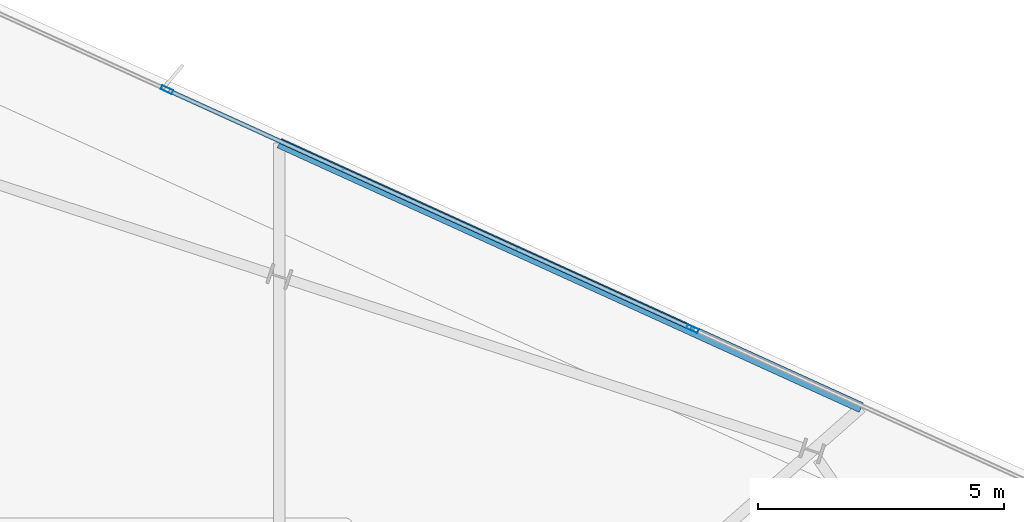
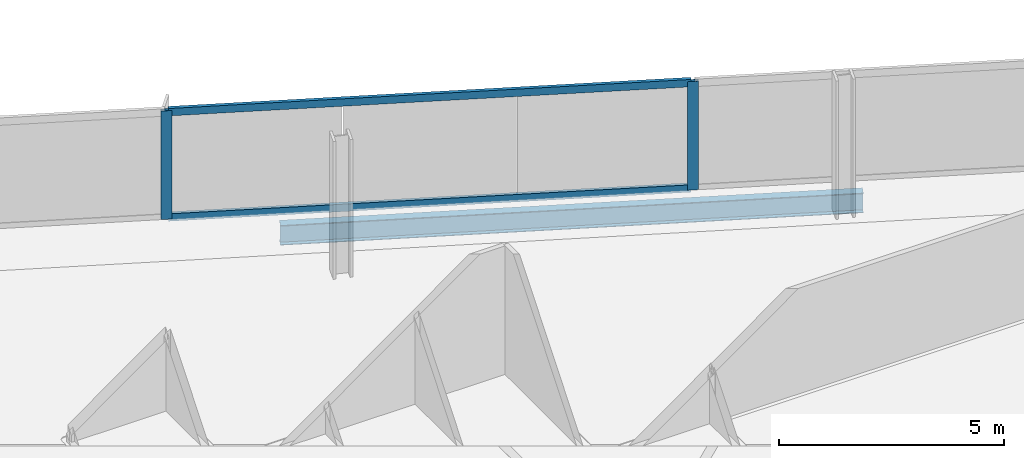
# One storey, part 17 of 26: 4 members, 1 beam, 1 element without a shape of its own.
"""IFC4 building model written with IfcOpenShell, lengths in metres."""

from ifc_helpers import new_model, si_unit, direction, frame, origin, origin_2d, place, context, subcontext, project, spatial, hollow_rectangle, i_section, extrude, material, material_profile, profile_set, type_object, element, aggregate, save


model = new_model("IFC4")

# Units and contexts
model_context = context("Model", 3, precision=1e-05, world=origin(), true_north=direction((0.0, 1.0)))
body_context = subcontext(model_context, "Body", "Model", "MODEL_VIEW")
ifc_project = project(units=[si_unit("LENGTHUNIT", "METRE"), si_unit("AREAUNIT", "SQUARE_METRE"), si_unit("VOLUMEUNIT", "CUBIC_METRE"), si_unit("PLANEANGLEUNIT", "RADIAN"), si_unit("MASSUNIT", "GRAM", prefix="KILO")], contexts=[model_context])

# Site, building, storey
site_placement = place(None, origin())
site = spatial("IfcSite", under=ifc_project, at=site_placement, CompositionType="ELEMENT")
building_placement = place(site_placement, origin())
building = spatial("IfcBuilding", under=site, at=building_placement, Name="Haldenkirk Collegiate Tower", CompositionType="ELEMENT")
storey_placement = place(building_placement, frame((0.0, 0.0, 248.699951171875)))
storey = spatial("IfcBuildingStorey", under=building, at=storey_placement, Name="L62", CompositionType="ELEMENT", Elevation=248.699951171875)

# Beam
ifc_material_1 = material(Name="Steel ASTM A992 Grade 50", Category="steel")
ifc_material_profile_1 = material_profile(ifc_material_1, i_section(OverallWidth=0.2099609375, OverallDepth=0.537109375, WebThickness=0.010986328125, FlangeThickness=0.017333984375, at=origin_2d()), Name="W21X68")
ifc_profile_set_1 = profile_set([ifc_material_profile_1], Name="Steel ASTM A992 Grade 50")
beam_type = type_object("IfcBeamType", Name="BM-SPANDREL-W21X68", PredefinedType="SPANDREL", material=ifc_profile_set_1)
beam_placement = place(storey_placement, frame((55.017822265625, 42.816650390625, -0.538330078125), z_axis=(-0.91032657633, 0.413890715562, 0.0), x_axis=(-0.413890715562, -0.91032657633, 0.0)))
element("IfcBeam", 1, at=beam_placement, inside=storey, type_object=beam_type, Name="L62 outer facade edge beam 2", PredefinedType="SPANDREL", context=body_context, shape_type="SweptSolid", body=[
    extrude(i_section(OverallWidth=0.2099609375, OverallDepth=0.537109375, WebThickness=0.010986328125, FlangeThickness=0.017333984375, at=origin_2d()), origin(), (0.0, 0.0, 1.0), 12.992919921875),
])

# Curtain wall, members
ifc_material_2 = material(Name="Anodised architectural bronze aluminium", Category="aluminium")
curtain_wall_type = type_object("IfcCurtainWallType", Name="CW-SYS1B-CONVEX-HI", PredefinedType="USERDEFINED", material=ifc_material_2)
curtain_wall_placement = place(storey_placement, origin())
curtain_wall = element("IfcCurtainWall", 2, at=curtain_wall_placement, inside=storey, type_object=curtain_wall_type, Name="L62 Upper tower high-wind convex bronze unitised curtain wall", ObjectType="UNITISED CURTAIN WALL", PredefinedType="USERDEFINED")
ifc_material_profile_2 = material_profile(ifc_material_2, hollow_rectangle(XDim=0.0849609375, YDim=0.25, WallThickness=0.0048828125, at=origin_2d()), Name="CW-MUL-1B")
ifc_profile_set_2 = profile_set([ifc_material_profile_2], Name="Anodised architectural bronze aluminium")
member_type_1 = type_object("IfcMemberType", Name="CW-MUL-1B", PredefinedType="MULLION", material=ifc_profile_set_2)
member_1_placement = place(storey_placement, frame((40.907470703125, 49.276123046875, 0.0), z_axis=(0.0, 0.0, 1.0), x_axis=(0.413900972818, 0.910321912677, 0.0)))
member_1 = element("IfcMember", 3, at=member_1_placement, type_object=member_type_1, Name="CW-1B mullion 2", PredefinedType="MULLION", context=body_context, shape_type="SweptSolid", body=[
    extrude(hollow_rectangle(XDim=0.0849609375, YDim=0.25, WallThickness=0.0048828125, at=origin_2d()), origin(), (0.0, 0.0, 1.0), 2.93798828125),
])
member_2_placement = place(storey_placement, frame((51.58837890625, 44.419677734375, 0.0), z_axis=(0.0, 0.0, 1.0), x_axis=(0.413900972818, 0.910321912677, 0.0)))
member_2 = element("IfcMember", 4, at=member_2_placement, type_object=member_type_1, Name="CW-1B mullion 3", PredefinedType="MULLION", context=body_context, shape_type="SweptSolid", body=[
    extrude(hollow_rectangle(XDim=0.0849609375, YDim=0.25, WallThickness=0.0048828125, at=origin_2d()), origin(), (0.0, 0.0, 1.0), 2.93798828125),
])
ifc_material_profile_3 = material_profile(ifc_material_2, hollow_rectangle(XDim=0.0849609375, YDim=0.199951171875, WallThickness=0.0048828125, at=origin_2d()), Name="CW-TRN-1B")
ifc_profile_set_3 = profile_set([ifc_material_profile_3], Name="Anodised architectural bronze aluminium")
member_type_2 = type_object("IfcMemberType", Name="CW-TRN-1B", PredefinedType="USERDEFINED", material=ifc_profile_set_3)
member_3_placement = place(storey_placement, frame((40.946044921875, 49.258544921875, 0.04248046875), z_axis=(0.910321251819, -0.413902426287, 0.0), x_axis=(0.413902426287, 0.910321251819, 0.0)))
member_3 = element("IfcMember", 5, at=member_3_placement, type_object=member_type_2, Name="CW-1B transom 2.1", ObjectType="TRANSOM", PredefinedType="USERDEFINED", context=body_context, shape_type="SweptSolid", body=[
    extrude(hollow_rectangle(XDim=0.0849609375, YDim=0.199951171875, WallThickness=0.0048828125, at=origin_2d()), origin(), (0.0, 0.0, 1.0), 11.6484375),
])
member_4_placement = place(storey_placement, frame((40.946044921875, 49.258544921875, 2.8955078125), z_axis=(0.910321251819, -0.413902426287, 0.0), x_axis=(0.413902426287, 0.910321251819, 0.0)))
member_4 = element("IfcMember", 6, at=member_4_placement, type_object=member_type_2, Name="CW-1B transom 2.2", ObjectType="TRANSOM", PredefinedType="USERDEFINED", context=body_context, shape_type="SweptSolid", body=[
    extrude(hollow_rectangle(XDim=0.0849609375, YDim=0.199951171875, WallThickness=0.0048828125, at=origin_2d()), origin(), (0.0, 0.0, 1.0), 11.6484375),
])
aggregate(curtain_wall, [member_1, member_2, member_3, member_4])

save(model, "model.ifc")
